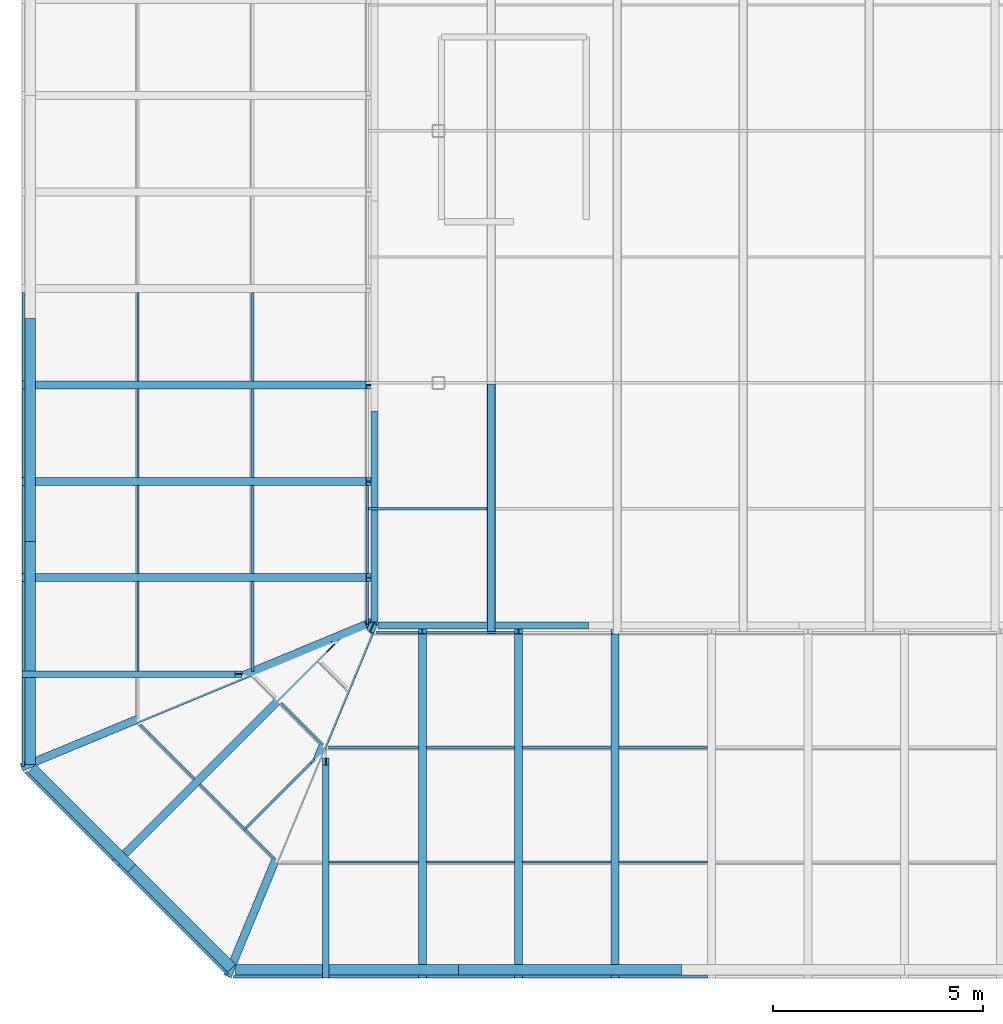
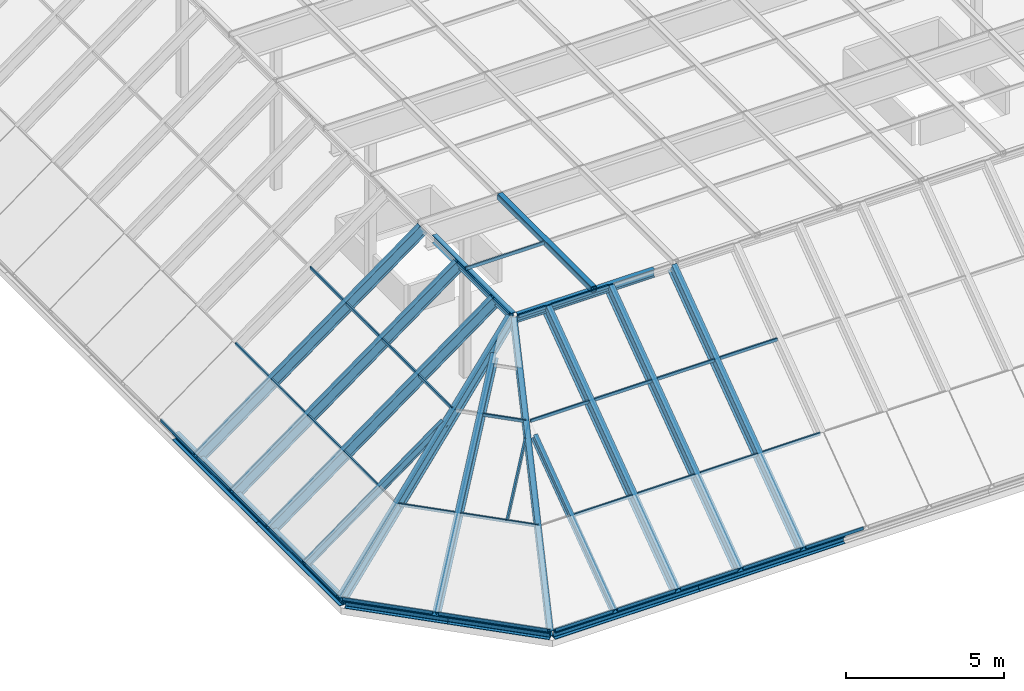
# One storey, part 2 of 15: 58 members, 4 elements without a shape of their own.
"""IFC4 building model written with IfcOpenShell, lengths in metres."""

from ifc_helpers import new_model, si_unit, direction, frame, origin, origin_2d, place, context, subcontext, project, spatial, rectangle, hollow_rectangle, i_section, extrude, material, constituent, constituent_set, material_profile, profile_set, type_object, element, aggregate, save


model = new_model("IFC4")

# Units and contexts
model_context = context("Model", 3, precision=1e-05, world=origin(), true_north=direction((0.0, 1.0)))
body_context = subcontext(model_context, "Body", "Model", "MODEL_VIEW")
ifc_project = project(units=[si_unit("LENGTHUNIT", "METRE"), si_unit("AREAUNIT", "SQUARE_METRE"), si_unit("VOLUMEUNIT", "CUBIC_METRE"), si_unit("PLANEANGLEUNIT", "RADIAN"), si_unit("MASSUNIT", "GRAM", prefix="KILO")], contexts=[model_context])

# Site, building, storey
site_placement = place(None, origin())
site = spatial("IfcSite", under=ifc_project, at=site_placement, CompositionType="ELEMENT")
building_placement = place(site_placement, origin())
building = spatial("IfcBuilding", under=site, at=building_placement, Name="Quoin Convention Tower", CompositionType="ELEMENT")
storey_placement = place(building_placement, frame((0.0, 0.0, 273.699951171875)))
storey = spatial("IfcBuildingStorey", under=building, at=storey_placement, Name="Roof", CompositionType="ELEMENT", Elevation=273.699951171875)

# Curtain wall, member
ifc_material_1 = material(Name="Aluminium", Category="aluminium")
ifc_constituent_1 = constituent(ifc_material_1, Name="Frame")
ifc_material_2 = material(Name="Insulated glass", Category="glass")
ifc_constituent_2 = constituent(ifc_material_2, Name="Glazing")
ifc_constituent_set = constituent_set(constituents=[ifc_constituent_1, ifc_constituent_2], Name="Aluminium")
curtain_wall_type = type_object("IfcCurtainWallType", Name="Lantern roof system", PredefinedType="NOTDEFINED", material=ifc_constituent_set)
curtain_wall_1_placement = place(storey_placement, origin())
curtain_wall_1 = element("IfcCurtainWall", 1, at=curtain_wall_1_placement, inside=storey, type_object=curtain_wall_type, Name="crn-LNR-CAP", PredefinedType="NOTDEFINED")
ifc_material_3 = material(Name="Steel C450L0", Category="steel")
ifc_material_profile_1 = material_profile(ifc_material_3, hollow_rectangle(XDim=0.199951171875, YDim=0.199951171875, WallThickness=0.010009765625, InnerFilletRadius=0.014892578125, OuterFilletRadius=0.02490234375, at=origin_2d()), Name="200x200x10.0SHS")
ifc_profile_set_1 = profile_set([ifc_material_profile_1], Name="Steel C450L0")
member_type_1 = type_object("IfcMemberType", Name="200x200x10.0SHS LANTERN CAP RAIL", PredefinedType="MULLION", material=ifc_profile_set_1)
member_1_placement = place(storey_placement, frame((46.409912109375, 47.926513671875, 6.495361328125), z_axis=(0.0, 1.0, 0.0), x_axis=(-1.0, 0.0, 0.0)))
member_1 = element("IfcMember", 2, at=member_1_placement, type_object=member_type_1, Name="CW6 cap rail", PredefinedType="MULLION", context=body_context, shape_type="SweptSolid", body=[
    extrude(hollow_rectangle(XDim=0.199951171875, YDim=0.199951171875, WallThickness=0.010009765625, InnerFilletRadius=0.014892578125, OuterFilletRadius=0.02490234375, at=origin_2d()), origin(), (0.0, 0.0, 1.0), 5.953369140625),
])

# Members
ifc_material_4 = material(Name="Steel Grade 300", Category="steel")
ifc_material_profile_2 = material_profile(ifc_material_4, i_section(OverallWidth=0.256103515625, OverallDepth=0.260009765625, WebThickness=0.010498046875, FlangeThickness=0.017333984375, FilletRadius=0.013916015625, at=origin_2d()), Name="250UC89.5")
ifc_profile_set_2 = profile_set([ifc_material_profile_2], Name="Steel Grade 300")
member_type_2 = type_object("IfcMemberType", Name="250UC89.5 EAVES RING", PredefinedType="CHORD", material=ifc_profile_set_2)
for number, where, z_axis, x_axis, name in (
    (3, (35.427978515625, 55.438720703125, 0.130126953125), (0.0, -1.0, 0.0), (1.0, 0.0, 0.0), "LANTERN EAVES RING"),
    (4, (35.427978515625, 50.12744140625, 0.130126953125), (0.0, -1.0, 0.0), (1.0, 0.0, 0.0), "LANTERN EAVES RING"),
):
    element("IfcMember", number, at=place(storey_placement, frame(where, z_axis=z_axis, x_axis=x_axis)), inside=storey, type_object=member_type_2, Name=name, PredefinedType="CHORD", context=body_context, shape_type="SweptSolid", body=[
        extrude(i_section(OverallWidth=0.256103515625, OverallDepth=0.260009765625, WebThickness=0.010498046875, FlangeThickness=0.017333984375, FilletRadius=0.013916015625, at=origin_2d()), origin(), (0.0, 0.0, 1.0), 5.311279296875),
    ])
for number, where, z_axis, x_axis, name in (
    (5, (35.465576171875, 44.7255859375, 0.130126953125), (0.707070512791, -0.707143047722, 0.0), (0.707143047722, 0.707070512791, 0.0), "LANTERN EAVES RING"),
    (6, (37.845458984375, 42.345458984375, 0.130126953125), (0.707143047722, -0.707070512791, 0.0), (0.707070512791, 0.707143047722, 0.0), "LANTERN EAVES RING"),
):
    element("IfcMember", number, at=place(storey_placement, frame(where, z_axis=z_axis, x_axis=x_axis)), inside=storey, type_object=member_type_2, Name=name, PredefinedType="CHORD", context=body_context, shape_type="SweptSolid", body=[
        extrude(i_section(OverallWidth=0.256103515625, OverallDepth=0.260009765625, WebThickness=0.010498046875, FlangeThickness=0.017333984375, FilletRadius=0.013916015625, at=origin_2d()), origin(), (0.0, 0.0, 1.0), 3.36572265625),
    ])
for number, where, z_axis, x_axis, name in (
    (7, (40.316162109375, 39.927978515625, 0.130126953125), (1.0, 0.0, 0.0), (0.0, 1.0, 0.0), "LANTERN EAVES RING"),
    (8, (45.62744140625, 39.927978515625, 0.130126953125), (1.0, 0.0, 0.0), (0.0, 1.0, 0.0), "LANTERN EAVES RING"),
):
    element("IfcMember", number, at=place(storey_placement, frame(where, z_axis=z_axis, x_axis=x_axis)), inside=storey, type_object=member_type_2, Name=name, PredefinedType="CHORD", context=body_context, shape_type="SweptSolid", body=[
        extrude(i_section(OverallWidth=0.256103515625, OverallDepth=0.260009765625, WebThickness=0.010498046875, FlangeThickness=0.017333984375, FilletRadius=0.013916015625, at=origin_2d()), origin(), (0.0, 0.0, 1.0), 5.311279296875),
    ])

# Curtain wall, member
curtain_wall_2_placement = place(storey_placement, origin())
curtain_wall_2 = element("IfcCurtainWall", 9, at=curtain_wall_2_placement, inside=storey, type_object=curtain_wall_type, Name="crn-LNR-F35210_76827", PredefinedType="NOTDEFINED")
ifc_material_profile_3 = material_profile(ifc_material_4, i_section(OverallWidth=0.14892578125, OverallDepth=0.298095703125, WebThickness=0.005615234375, FlangeThickness=0.008056640625, FilletRadius=0.012939453125, at=origin_2d()), Name="310UB32.0")
ifc_profile_set_3 = profile_set([ifc_material_profile_3], Name="Steel Grade 300")
member_type_3 = type_object("IfcMemberType", Name="310UB32.0 LANTERN RAFTER", PredefinedType="MULLION", material=ifc_profile_set_3)
member_2_placement = place(storey_placement, frame((35.314453125, 46.969482421875, 0.332763671875), z_axis=(0.807036644886, 0.0, 0.590501358009), x_axis=(0.0, 1.0, 0.0)))
member_2 = element("IfcMember", 10, at=member_2_placement, type_object=member_type_3, Name="CW6 steel rafter", PredefinedType="MULLION", context=body_context, shape_type="SweptSolid", body=[
    extrude(i_section(OverallWidth=0.14892578125, OverallDepth=0.298095703125, WebThickness=0.005615234375, FlangeThickness=0.008056640625, FilletRadius=0.012939453125, at=origin_2d()), origin(), (0.0, 0.0, 1.0), 6.286865234375),
])

curtain_wall_3_placement = place(storey_placement, origin())
curtain_wall_3 = element("IfcCurtainWall", 11, at=curtain_wall_3_placement, inside=storey, type_object=curtain_wall_type, Name="crn-LNR-F40173_39710", PredefinedType="NOTDEFINED")
member_3_placement = place(storey_placement, frame((42.469482421875, 39.814453125, 0.332763671875), z_axis=(0.0, 0.807036644886, 0.590501358009), x_axis=(-1.0, 0.0, 0.0)))
member_3 = element("IfcMember", 12, at=member_3_placement, type_object=member_type_3, Name="CW6 steel rafter", PredefinedType="MULLION", context=body_context, shape_type="SweptSolid", body=[
    extrude(i_section(OverallWidth=0.14892578125, OverallDepth=0.298095703125, WebThickness=0.005615234375, FlangeThickness=0.008056640625, FilletRadius=0.012939453125, at=origin_2d()), origin(), (0.0, 0.0, 1.0), 6.286865234375),
])

# Members
ifc_material_profile_4 = material_profile(ifc_material_4, i_section(OverallWidth=0.166015625, OverallDepth=0.306884765625, WebThickness=0.006591796875, FlangeThickness=0.01171875, FilletRadius=0.011474609375, at=origin_2d()), Name="310UB46.2")
ifc_profile_set_4 = profile_set([ifc_material_profile_4], Name="Steel Grade 300")
member_type_4 = type_object("IfcMemberType", Name="310UB46.2 COMPRESSION RING", PredefinedType="CHORD", material=ifc_profile_set_4)
for number, where, z_axis, x_axis, name in (
    (13, (43.626953125, 53.22607421875, 6.241943359375), (0.0, -1.0, 0.0), (1.0, 0.0, 0.0), "LANTERN COMPRESSION RING"),
    (14, (43.7099609375, 48.126953125, 6.241943359375), (1.0, 0.0, 0.0), (0.0, 1.0, 0.0), "LANTERN COMPRESSION RING"),
):
    element("IfcMember", number, at=place(storey_placement, frame(where, z_axis=z_axis, x_axis=x_axis)), inside=storey, type_object=member_type_4, Name=name, PredefinedType="CHORD", context=body_context, shape_type="SweptSolid", body=[
        extrude(i_section(OverallWidth=0.166015625, OverallDepth=0.306884765625, WebThickness=0.006591796875, FlangeThickness=0.01171875, FilletRadius=0.011474609375, at=origin_2d()), origin(), (0.0, 0.0, 1.0), 5.01611328125),
    ])
ifc_material_profile_5 = material_profile(ifc_material_4, i_section(OverallWidth=0.18994140625, OverallDepth=0.4541015625, WebThickness=0.008544921875, FlangeThickness=0.0126953125, FilletRadius=0.011474609375, at=origin_2d()), Name="460UB67.1")
ifc_profile_set_5 = profile_set([ifc_material_profile_5], Name="Steel Grade 300")
member_type_5 = type_object("IfcMemberType", Name="460UB67.1 LANTERN HIP RAFTER", PredefinedType="RAFTER", material=ifc_profile_set_5)
for number, where, z_axis, x_axis, name in (
    (15, (35.33740234375, 44.800048828125, 0.229248046875), (0.765391967529, 0.317054171085, 0.560046237949), (-0.382702428316, 0.923871663902, 0.0), "CW6 steel hip rafter"),
    (16, (40.1728515625, 39.89013671875, 0.229248046875), (0.317033673283, 0.765397497452, 0.560050284259), (-0.923881389236, 0.382678949804, 0.0), "CW6 steel hip rafter"),
):
    element("IfcMember", number, at=place(storey_placement, frame(where, z_axis=z_axis, x_axis=x_axis)), inside=storey, type_object=member_type_5, Name=name, PredefinedType="RAFTER", context=body_context, shape_type="SweptSolid", body=[
        extrude(i_section(OverallWidth=0.18994140625, OverallDepth=0.4541015625, WebThickness=0.008544921875, FlangeThickness=0.0126953125, FilletRadius=0.011474609375, at=origin_2d()), origin(), (0.0, 0.0, 1.0), 10.71337890625),
    ])

# Member
ifc_material_profile_6 = material_profile(ifc_material_4, i_section(OverallWidth=0.18994140625, OverallDepth=0.4541015625, WebThickness=0.008544921875, FlangeThickness=0.0126953125, FilletRadius=0.011474609375, at=origin_2d()), Name="460UB67.1")
ifc_profile_set_6 = profile_set([ifc_material_profile_6], Name="Steel Grade 300")
member_type_6 = type_object("IfcMemberType", Name="460UB67.1 LANTERN RAFTER", PredefinedType="MULLION", material=ifc_profile_set_6)
member_4_placement = place(storey_placement, frame((35.360595703125, 53.85986328125, 0.26953125), z_axis=(0.807028649932, 0.0, 0.590512284537), x_axis=(0.0, 1.0, 0.0)))
member_4 = element("IfcMember", 17, at=member_4_placement, type_object=member_type_6, Name="CW6 steel rafter", PredefinedType="MULLION", context=body_context, shape_type="SweptSolid", body=[
    extrude(i_section(OverallWidth=0.18994140625, OverallDepth=0.4541015625, WebThickness=0.008544921875, FlangeThickness=0.0126953125, FilletRadius=0.011474609375, at=origin_2d()), origin(), (0.0, 0.0, 1.0), 10.16064453125),
])

member_5_placement = place(storey_placement, frame((35.360595703125, 51.56298828125, 0.26953125), z_axis=(0.807028649932, 0.0, 0.590512284537), x_axis=(0.0, 1.0, 0.0)))
member_5 = element("IfcMember", 18, at=member_5_placement, type_object=member_type_6, Name="CW6 steel rafter", PredefinedType="MULLION", context=body_context, shape_type="SweptSolid", body=[
    extrude(i_section(OverallWidth=0.18994140625, OverallDepth=0.4541015625, WebThickness=0.008544921875, FlangeThickness=0.0126953125, FilletRadius=0.011474609375, at=origin_2d()), origin(), (0.0, 0.0, 1.0), 10.16064453125),
])

member_6_placement = place(storey_placement, frame((35.360595703125, 49.266357421875, 0.26953125), z_axis=(0.807028649932, 0.0, 0.590512284537), x_axis=(0.0, 1.0, 0.0)))
member_6 = element("IfcMember", 19, at=member_6_placement, type_object=member_type_6, Name="CW6 steel rafter", PredefinedType="MULLION", context=body_context, shape_type="SweptSolid", body=[
    extrude(i_section(OverallWidth=0.18994140625, OverallDepth=0.4541015625, WebThickness=0.008544921875, FlangeThickness=0.0126953125, FilletRadius=0.011474609375, at=origin_2d()), origin(), (0.0, 0.0, 1.0), 10.16064453125),
])

# Curtain wall, member
curtain_wall_4_placement = place(storey_placement, origin())
curtain_wall_4 = element("IfcCurtainWall", 20, at=curtain_wall_4_placement, inside=storey, type_object=curtain_wall_type, Name="crn-LNR-F35210_44673", PredefinedType="NOTDEFINED")
member_7_placement = place(storey_placement, frame((37.5439453125, 42.552001953125, 0.26953125), z_axis=(0.570654798097, 0.570654798097, 0.590513507735), x_axis=(-0.707106781187, 0.707106781187, 0.0)))
member_7 = element("IfcMember", 21, at=member_7_placement, type_object=member_type_6, Name="CW6 steel rafter", PredefinedType="MULLION", context=body_context, shape_type="SweptSolid", body=[
    extrude(i_section(OverallWidth=0.18994140625, OverallDepth=0.4541015625, WebThickness=0.008544921875, FlangeThickness=0.0126953125, FilletRadius=0.011474609375, at=origin_2d()), origin(), (0.0, 0.0, 1.0), 8.83935546875),
])

# Member
member_8_placement = place(storey_placement, frame((44.766357421875, 39.860595703125, 0.26953125), z_axis=(0.0, 0.807028649932, 0.590512284537), x_axis=(-1.0, 0.0, 0.0)))
member_8 = element("IfcMember", 22, at=member_8_placement, type_object=member_type_6, Name="CW6 steel rafter", PredefinedType="MULLION", context=body_context, shape_type="SweptSolid", body=[
    extrude(i_section(OverallWidth=0.18994140625, OverallDepth=0.4541015625, WebThickness=0.008544921875, FlangeThickness=0.0126953125, FilletRadius=0.011474609375, at=origin_2d()), origin(), (0.0, 0.0, 1.0), 10.16064453125),
])

member_9_placement = place(storey_placement, frame((47.06298828125, 39.860595703125, 0.26953125), z_axis=(0.0, 0.807028649932, 0.590512284537), x_axis=(-1.0, 0.0, 0.0)))
member_9 = element("IfcMember", 23, at=member_9_placement, type_object=member_type_6, Name="CW6 steel rafter", PredefinedType="MULLION", context=body_context, shape_type="SweptSolid", body=[
    extrude(i_section(OverallWidth=0.18994140625, OverallDepth=0.4541015625, WebThickness=0.008544921875, FlangeThickness=0.0126953125, FilletRadius=0.011474609375, at=origin_2d()), origin(), (0.0, 0.0, 1.0), 10.16064453125),
])

member_10_placement = place(storey_placement, frame((49.35986328125, 39.860595703125, 0.26953125), z_axis=(0.0, 0.807028649932, 0.590512284537), x_axis=(-1.0, 0.0, 0.0)))
member_10 = element("IfcMember", 24, at=member_10_placement, type_object=member_type_6, Name="CW6 steel rafter", PredefinedType="MULLION", context=body_context, shape_type="SweptSolid", body=[
    extrude(i_section(OverallWidth=0.18994140625, OverallDepth=0.4541015625, WebThickness=0.008544921875, FlangeThickness=0.0126953125, FilletRadius=0.011474609375, at=origin_2d()), origin(), (0.0, 0.0, 1.0), 10.16064453125),
])

ifc_material_profile_7 = material_profile(ifc_material_1, rectangle(XDim=0.028076171875, YDim=0.179931640625, at=origin_2d()), Name="Lantern roof cap cover bar 180x28")
ifc_profile_set_7 = profile_set([ifc_material_profile_7], Name="Aluminium")
member_type_7 = type_object("IfcMemberType", Name="Lantern roof cap cover bar 180x28", PredefinedType="USERDEFINED", material=ifc_profile_set_7)
member_11_placement = place(storey_placement, frame((46.409912109375, 47.926513671875, 6.609375), z_axis=(0.0, 1.0, 0.0), x_axis=(0.0, 0.0, 1.0)))
member_11 = element("IfcMember", 25, at=member_11_placement, type_object=member_type_7, Name="CW6 cap cover bar", ObjectType="CAP COVER", PredefinedType="USERDEFINED", context=body_context, shape_type="SweptSolid", body=[
    extrude(rectangle(XDim=0.028076171875, YDim=0.179931640625, at=origin_2d()), origin(), (0.0, 0.0, 1.0), 5.953369140625),
])

ifc_material_profile_8 = material_profile(ifc_material_1, rectangle(XDim=0.199951171875, YDim=0.06005859375, at=origin_2d()), Name="Lantern roof mullion 60x200")
ifc_profile_set_8 = profile_set([ifc_material_profile_8], Name="Aluminium")
member_type_8 = type_object("IfcMemberType", Name="Lantern roof mullion 60x200", PredefinedType="MULLION", material=ifc_profile_set_8)
member_12_placement = place(storey_placement, frame((40.557861328125, 43.29736328125, 2.3720703125), z_axis=(0.570655053793, 0.570655053793, 0.590513013541), x_axis=(-0.417555756253, -0.417555756253, 0.807028116511)))
member_12 = element("IfcMember", 26, at=member_12_placement, type_object=member_type_8, Name="CW6 jack rafter", PredefinedType="MULLION", context=body_context, shape_type="SweptSolid", body=[
    extrude(rectangle(XDim=0.199951171875, YDim=0.06005859375, at=origin_2d()), origin(), (0.0, 0.0, 1.0), 2.80322265625),
])

ifc_material_profile_9 = material_profile(ifc_material_1, rectangle(XDim=0.1201171875, YDim=0.050048828125, at=origin_2d()), Name="Lantern roof transom 50x120")
ifc_profile_set_9 = profile_set([ifc_material_profile_9], Name="Aluminium")
member_type_9 = type_object("IfcMemberType", Name="Lantern roof transom 50x120", PredefinedType="USERDEFINED", material=ifc_profile_set_9)
member_13_placement = place(storey_placement, frame((35.261962890625, 56.0615234375, 0.404541015625), z_axis=(0.0, -1.0, 0.0), x_axis=(0.0, 0.0, 1.0)))
member_13 = element("IfcMember", 27, at=member_13_placement, type_object=member_type_9, Name="CW6 transom", ObjectType="TRANSOM", PredefinedType="USERDEFINED", context=body_context, shape_type="SweptSolid", body=[
    extrude(rectangle(XDim=0.1201171875, YDim=0.050048828125, at=origin_2d()), origin(), (0.0, 0.0, 1.0), 2.106689453125),
])

member_14_placement = place(storey_placement, frame((35.261962890625, 53.764892578125, 0.404541015625), z_axis=(0.0, -1.0, 0.0), x_axis=(0.0, 0.0, 1.0)))
member_14 = element("IfcMember", 28, at=member_14_placement, type_object=member_type_9, Name="CW6 transom", ObjectType="TRANSOM", PredefinedType="USERDEFINED", context=body_context, shape_type="SweptSolid", body=[
    extrude(rectangle(XDim=0.1201171875, YDim=0.050048828125, at=origin_2d()), origin(), (0.0, 0.0, 1.0), 2.10693359375),
])

member_15_placement = place(storey_placement, frame((35.261962890625, 51.468017578125, 0.404541015625), z_axis=(0.0, -1.0, 0.0), x_axis=(0.0, 0.0, 1.0)))
member_15 = element("IfcMember", 29, at=member_15_placement, type_object=member_type_9, Name="CW6 transom", ObjectType="TRANSOM", PredefinedType="USERDEFINED", context=body_context, shape_type="SweptSolid", body=[
    extrude(rectangle(XDim=0.1201171875, YDim=0.050048828125, at=origin_2d()), origin(), (0.0, 0.0, 1.0), 2.106689453125),
])

member_16_placement = place(storey_placement, frame((35.261962890625, 49.17138671875, 0.404541015625), z_axis=(0.0, -1.0, 0.0), x_axis=(0.0, 0.0, 1.0)))
member_16 = element("IfcMember", 30, at=member_16_placement, type_object=member_type_9, Name="CW6 transom", ObjectType="TRANSOM", PredefinedType="USERDEFINED", context=body_context, shape_type="SweptSolid", body=[
    extrude(rectangle(XDim=0.1201171875, YDim=0.050048828125, at=origin_2d()), origin(), (0.0, 0.0, 1.0), 2.12744140625),
])

member_17_placement = place(storey_placement, frame((35.261962890625, 46.89501953125, 0.404541015625), z_axis=(0.0, -1.0, 0.0), x_axis=(0.0, 0.0, 1.0)))
member_17 = element("IfcMember", 31, at=member_17_placement, type_object=member_type_9, Name="CW6 transom", ObjectType="TRANSOM", PredefinedType="USERDEFINED", context=body_context, shape_type="SweptSolid", body=[
    extrude(rectangle(XDim=0.1201171875, YDim=0.050048828125, at=origin_2d()), origin(), (0.0, 0.0, 1.0), 2.1220703125),
])

member_18_placement = place(storey_placement, frame((37.995361328125, 56.0615234375, 2.404541015625), z_axis=(0.0, -1.0, 0.0), x_axis=(0.0, 0.0, 1.0)))
member_18 = element("IfcMember", 32, at=member_18_placement, type_object=member_type_9, Name="CW6 transom", ObjectType="TRANSOM", PredefinedType="USERDEFINED", context=body_context, shape_type="SweptSolid", body=[
    extrude(rectangle(XDim=0.1201171875, YDim=0.050048828125, at=origin_2d()), origin(), (0.0, 0.0, 1.0), 2.106689453125),
])

member_19_placement = place(storey_placement, frame((37.995361328125, 53.764892578125, 2.404541015625), z_axis=(0.0, -1.0, 0.0), x_axis=(0.0, 0.0, 1.0)))
member_19 = element("IfcMember", 33, at=member_19_placement, type_object=member_type_9, Name="CW6 transom", ObjectType="TRANSOM", PredefinedType="USERDEFINED", context=body_context, shape_type="SweptSolid", body=[
    extrude(rectangle(XDim=0.1201171875, YDim=0.050048828125, at=origin_2d()), origin(), (0.0, 0.0, 1.0), 2.10693359375),
])

member_20_placement = place(storey_placement, frame((37.995361328125, 51.468017578125, 2.404541015625), z_axis=(0.0, -1.0, 0.0), x_axis=(0.0, 0.0, 1.0)))
member_20 = element("IfcMember", 34, at=member_20_placement, type_object=member_type_9, Name="CW6 transom", ObjectType="TRANSOM", PredefinedType="USERDEFINED", context=body_context, shape_type="SweptSolid", body=[
    extrude(rectangle(XDim=0.1201171875, YDim=0.050048828125, at=origin_2d()), origin(), (0.0, 0.0, 1.0), 2.106689453125),
])

member_21_placement = place(storey_placement, frame((37.995361328125, 49.17138671875, 2.404541015625), z_axis=(0.0, -1.0, 0.0), x_axis=(0.0, 0.0, 1.0)))
member_21 = element("IfcMember", 35, at=member_21_placement, type_object=member_type_9, Name="CW6 transom", ObjectType="TRANSOM", PredefinedType="USERDEFINED", context=body_context, shape_type="SweptSolid", body=[
    extrude(rectangle(XDim=0.1201171875, YDim=0.050048828125, at=origin_2d()), origin(), (0.0, 0.0, 1.0), 2.12744140625),
])

member_22_placement = place(storey_placement, frame((40.728515625, 56.0615234375, 4.404541015625), z_axis=(0.0, -1.0, 0.0), x_axis=(0.0, 0.0, 1.0)))
member_22 = element("IfcMember", 36, at=member_22_placement, type_object=member_type_9, Name="CW6 transom", ObjectType="TRANSOM", PredefinedType="USERDEFINED", context=body_context, shape_type="SweptSolid", body=[
    extrude(rectangle(XDim=0.1201171875, YDim=0.050048828125, at=origin_2d()), origin(), (0.0, 0.0, 1.0), 2.106689453125),
])

member_23_placement = place(storey_placement, frame((40.728515625, 53.764892578125, 4.404541015625), z_axis=(0.0, -1.0, 0.0), x_axis=(0.0, 0.0, 1.0)))
member_23 = element("IfcMember", 37, at=member_23_placement, type_object=member_type_9, Name="CW6 transom", ObjectType="TRANSOM", PredefinedType="USERDEFINED", context=body_context, shape_type="SweptSolid", body=[
    extrude(rectangle(XDim=0.1201171875, YDim=0.050048828125, at=origin_2d()), origin(), (0.0, 0.0, 1.0), 2.10693359375),
])

member_24_placement = place(storey_placement, frame((40.728515625, 51.468017578125, 4.404541015625), z_axis=(0.0, -1.0, 0.0), x_axis=(0.0, 0.0, 1.0)))
member_24 = element("IfcMember", 38, at=member_24_placement, type_object=member_type_9, Name="CW6 transom", ObjectType="TRANSOM", PredefinedType="USERDEFINED", context=body_context, shape_type="SweptSolid", body=[
    extrude(rectangle(XDim=0.1201171875, YDim=0.050048828125, at=origin_2d()), origin(), (0.0, 0.0, 1.0), 2.106689453125),
])

member_25_placement = place(storey_placement, frame((40.728515625, 49.17138671875, 4.404541015625), z_axis=(0.0, -1.0, 0.0), x_axis=(0.0, 0.0, 1.0)))
member_25 = element("IfcMember", 39, at=member_25_placement, type_object=member_type_9, Name="CW6 transom", ObjectType="TRANSOM", PredefinedType="USERDEFINED", context=body_context, shape_type="SweptSolid", body=[
    extrude(rectangle(XDim=0.1201171875, YDim=0.050048828125, at=origin_2d()), origin(), (0.0, 0.0, 1.0), 2.134033203125),
])

member_26_placement = place(storey_placement, frame((43.4619140625, 51.468017578125, 6.404541015625), z_axis=(0.0, -1.0, 0.0), x_axis=(0.0, 0.0, 1.0)))
member_26 = element("IfcMember", 40, at=member_26_placement, type_object=member_type_9, Name="CW6 transom", ObjectType="TRANSOM", PredefinedType="USERDEFINED", context=body_context, shape_type="SweptSolid", body=[
    extrude(rectangle(XDim=0.1201171875, YDim=0.050048828125, at=origin_2d()), origin(), (0.0, 0.0, 1.0), 2.106689453125),
])

member_27_placement = place(storey_placement, frame((43.4619140625, 49.17138671875, 6.404541015625), z_axis=(0.0, -1.0, 0.0), x_axis=(0.0, 0.0, 1.0)))
member_27 = element("IfcMember", 41, at=member_27_placement, type_object=member_type_9, Name="CW6 transom", ObjectType="TRANSOM", PredefinedType="USERDEFINED", context=body_context, shape_type="SweptSolid", body=[
    extrude(rectangle(XDim=0.1201171875, YDim=0.050048828125, at=origin_2d()), origin(), (0.0, 0.0, 1.0), 1.001953125),
])

aggregate(curtain_wall_2, [member_4, member_5, member_6, member_2, member_13, member_14, member_15, member_16, member_17, member_18, member_19, member_20, member_21, member_22, member_23, member_24, member_25, member_26, member_27])

member_28_placement = place(storey_placement, frame((35.317626953125, 44.638671875, 0.404541015625), z_axis=(0.707106781187, -0.707106781187, 0.0), x_axis=(0.0, 0.0, 1.0)))
member_28 = element("IfcMember", 42, at=member_28_placement, type_object=member_type_9, Name="CW6 transom", ObjectType="TRANSOM", PredefinedType="USERDEFINED", context=body_context, shape_type="SweptSolid", body=[
    extrude(rectangle(XDim=0.1201171875, YDim=0.050048828125, at=origin_2d()), origin(), (0.0, 0.0, 1.0), 2.954833984375),
])

member_29_placement = place(storey_placement, frame((37.541259765625, 42.4150390625, 0.404541015625), z_axis=(0.707106781187, -0.707106781187, 0.0), x_axis=(0.0, 0.0, 1.0)))
member_29 = element("IfcMember", 43, at=member_29_placement, type_object=member_type_9, Name="CW6 transom", ObjectType="TRANSOM", PredefinedType="USERDEFINED", context=body_context, shape_type="SweptSolid", body=[
    extrude(rectangle(XDim=0.1201171875, YDim=0.050048828125, at=origin_2d()), origin(), (0.0, 0.0, 1.0), 3.67333984375),
])

member_30_placement = place(storey_placement, frame((38.05078125, 45.77099609375, 2.404541015625), z_axis=(0.707106781187, -0.707106781187, 0.0), x_axis=(0.0, 0.0, 1.0)))
member_30 = element("IfcMember", 44, at=member_30_placement, type_object=member_type_9, Name="CW6 transom", ObjectType="TRANSOM", PredefinedType="USERDEFINED", context=body_context, shape_type="SweptSolid", body=[
    extrude(rectangle(XDim=0.1201171875, YDim=0.050048828125, at=origin_2d()), origin(), (0.0, 0.0, 1.0), 1.82275390625),
])

member_31_placement = place(storey_placement, frame((39.47412109375, 44.34765625, 2.404541015625), z_axis=(0.707106781187, -0.707106781187, 0.0), x_axis=(0.0, 0.0, 1.0)))
member_31 = element("IfcMember", 45, at=member_31_placement, type_object=member_type_9, Name="CW6 transom", ObjectType="TRANSOM", PredefinedType="USERDEFINED", context=body_context, shape_type="SweptSolid", body=[
    extrude(rectangle(XDim=0.1201171875, YDim=0.050048828125, at=origin_2d()), origin(), (0.0, 0.0, 1.0), 2.541259765625),
])

member_32_placement = place(storey_placement, frame((41.40673828125, 46.280517578125, 4.404541015625), z_axis=(0.707106781187, -0.707106781187, 0.0), x_axis=(0.0, 0.0, 1.0)))
member_32 = element("IfcMember", 46, at=member_32_placement, type_object=member_type_9, Name="CW6 transom", ObjectType="TRANSOM", PredefinedType="USERDEFINED", context=body_context, shape_type="SweptSolid", body=[
    extrude(rectangle(XDim=0.1201171875, YDim=0.050048828125, at=origin_2d()), origin(), (0.0, 0.0, 1.0), 1.408935546875),
])

aggregate(curtain_wall_4, [member_7, member_28, member_29, member_30, member_31, member_32, member_12])

member_33_placement = place(storey_placement, frame((40.27294921875, 39.761962890625, 0.404541015625), z_axis=(1.0, 0.0, 0.0), x_axis=(0.0, 0.0, 1.0)))
member_33 = element("IfcMember", 47, at=member_33_placement, type_object=member_type_9, Name="CW6 transom", ObjectType="TRANSOM", PredefinedType="USERDEFINED", context=body_context, shape_type="SweptSolid", body=[
    extrude(rectangle(XDim=0.1201171875, YDim=0.050048828125, at=origin_2d()), origin(), (0.0, 0.0, 1.0), 2.1220703125),
])

member_34_placement = place(storey_placement, frame((42.5439453125, 39.761962890625, 0.404541015625), z_axis=(1.0, 0.0, 0.0), x_axis=(0.0, 0.0, 1.0)))
member_34 = element("IfcMember", 48, at=member_34_placement, type_object=member_type_9, Name="CW6 transom", ObjectType="TRANSOM", PredefinedType="USERDEFINED", context=body_context, shape_type="SweptSolid", body=[
    extrude(rectangle(XDim=0.1201171875, YDim=0.050048828125, at=origin_2d()), origin(), (0.0, 0.0, 1.0), 2.12744140625),
])

member_35_placement = place(storey_placement, frame((44.861328125, 39.761962890625, 0.404541015625), z_axis=(1.0, 0.0, 0.0), x_axis=(0.0, 0.0, 1.0)))
member_35 = element("IfcMember", 49, at=member_35_placement, type_object=member_type_9, Name="CW6 transom", ObjectType="TRANSOM", PredefinedType="USERDEFINED", context=body_context, shape_type="SweptSolid", body=[
    extrude(rectangle(XDim=0.1201171875, YDim=0.050048828125, at=origin_2d()), origin(), (0.0, 0.0, 1.0), 2.106689453125),
])

member_36_placement = place(storey_placement, frame((47.157958984375, 39.761962890625, 0.404541015625), z_axis=(1.0, 0.0, 0.0), x_axis=(0.0, 0.0, 1.0)))
member_36 = element("IfcMember", 50, at=member_36_placement, type_object=member_type_9, Name="CW6 transom", ObjectType="TRANSOM", PredefinedType="USERDEFINED", context=body_context, shape_type="SweptSolid", body=[
    extrude(rectangle(XDim=0.1201171875, YDim=0.050048828125, at=origin_2d()), origin(), (0.0, 0.0, 1.0), 2.10693359375),
])

member_37_placement = place(storey_placement, frame((49.454833984375, 39.761962890625, 0.404541015625), z_axis=(1.0, 0.0, 0.0), x_axis=(0.0, 0.0, 1.0)))
member_37 = element("IfcMember", 51, at=member_37_placement, type_object=member_type_9, Name="CW6 transom", ObjectType="TRANSOM", PredefinedType="USERDEFINED", context=body_context, shape_type="SweptSolid", body=[
    extrude(rectangle(XDim=0.1201171875, YDim=0.050048828125, at=origin_2d()), origin(), (0.0, 0.0, 1.0), 2.106689453125),
])

member_38_placement = place(storey_placement, frame((42.5439453125, 42.495361328125, 2.404541015625), z_axis=(1.0, 0.0, 0.0), x_axis=(0.0, 0.0, 1.0)))
member_38 = element("IfcMember", 52, at=member_38_placement, type_object=member_type_9, Name="CW6 transom", ObjectType="TRANSOM", PredefinedType="USERDEFINED", context=body_context, shape_type="SweptSolid", body=[
    extrude(rectangle(XDim=0.1201171875, YDim=0.050048828125, at=origin_2d()), origin(), (0.0, 0.0, 1.0), 2.12744140625),
])

member_39_placement = place(storey_placement, frame((44.861328125, 42.495361328125, 2.404541015625), z_axis=(1.0, 0.0, 0.0), x_axis=(0.0, 0.0, 1.0)))
member_39 = element("IfcMember", 53, at=member_39_placement, type_object=member_type_9, Name="CW6 transom", ObjectType="TRANSOM", PredefinedType="USERDEFINED", context=body_context, shape_type="SweptSolid", body=[
    extrude(rectangle(XDim=0.1201171875, YDim=0.050048828125, at=origin_2d()), origin(), (0.0, 0.0, 1.0), 2.106689453125),
])

member_40_placement = place(storey_placement, frame((47.157958984375, 42.495361328125, 2.404541015625), z_axis=(1.0, 0.0, 0.0), x_axis=(0.0, 0.0, 1.0)))
member_40 = element("IfcMember", 54, at=member_40_placement, type_object=member_type_9, Name="CW6 transom", ObjectType="TRANSOM", PredefinedType="USERDEFINED", context=body_context, shape_type="SweptSolid", body=[
    extrude(rectangle(XDim=0.1201171875, YDim=0.050048828125, at=origin_2d()), origin(), (0.0, 0.0, 1.0), 2.10693359375),
])

member_41_placement = place(storey_placement, frame((49.454833984375, 42.495361328125, 2.404541015625), z_axis=(1.0, 0.0, 0.0), x_axis=(0.0, 0.0, 1.0)))
member_41 = element("IfcMember", 55, at=member_41_placement, type_object=member_type_9, Name="CW6 transom", ObjectType="TRANSOM", PredefinedType="USERDEFINED", context=body_context, shape_type="SweptSolid", body=[
    extrude(rectangle(XDim=0.1201171875, YDim=0.050048828125, at=origin_2d()), origin(), (0.0, 0.0, 1.0), 2.106689453125),
])

member_42_placement = place(storey_placement, frame((42.537353515625, 45.228515625, 4.404541015625), z_axis=(1.0, 0.0, 0.0), x_axis=(0.0, 0.0, 1.0)))
member_42 = element("IfcMember", 56, at=member_42_placement, type_object=member_type_9, Name="CW6 transom", ObjectType="TRANSOM", PredefinedType="USERDEFINED", context=body_context, shape_type="SweptSolid", body=[
    extrude(rectangle(XDim=0.1201171875, YDim=0.050048828125, at=origin_2d()), origin(), (0.0, 0.0, 1.0), 2.134033203125),
])

member_43_placement = place(storey_placement, frame((44.861328125, 45.228515625, 4.404541015625), z_axis=(1.0, 0.0, 0.0), x_axis=(0.0, 0.0, 1.0)))
member_43 = element("IfcMember", 57, at=member_43_placement, type_object=member_type_9, Name="CW6 transom", ObjectType="TRANSOM", PredefinedType="USERDEFINED", context=body_context, shape_type="SweptSolid", body=[
    extrude(rectangle(XDim=0.1201171875, YDim=0.050048828125, at=origin_2d()), origin(), (0.0, 0.0, 1.0), 2.106689453125),
])

member_44_placement = place(storey_placement, frame((47.157958984375, 45.228515625, 4.404541015625), z_axis=(1.0, 0.0, 0.0), x_axis=(0.0, 0.0, 1.0)))
member_44 = element("IfcMember", 58, at=member_44_placement, type_object=member_type_9, Name="CW6 transom", ObjectType="TRANSOM", PredefinedType="USERDEFINED", context=body_context, shape_type="SweptSolid", body=[
    extrude(rectangle(XDim=0.1201171875, YDim=0.050048828125, at=origin_2d()), origin(), (0.0, 0.0, 1.0), 2.10693359375),
])

member_45_placement = place(storey_placement, frame((49.454833984375, 45.228515625, 4.404541015625), z_axis=(1.0, 0.0, 0.0), x_axis=(0.0, 0.0, 1.0)))
member_45 = element("IfcMember", 59, at=member_45_placement, type_object=member_type_9, Name="CW6 transom", ObjectType="TRANSOM", PredefinedType="USERDEFINED", context=body_context, shape_type="SweptSolid", body=[
    extrude(rectangle(XDim=0.1201171875, YDim=0.050048828125, at=origin_2d()), origin(), (0.0, 0.0, 1.0), 2.106689453125),
])

member_46_placement = place(storey_placement, frame((43.66943359375, 47.9619140625, 6.404541015625), z_axis=(1.0, 0.0, 0.0), x_axis=(0.0, 0.0, 1.0)))
member_46 = element("IfcMember", 60, at=member_46_placement, type_object=member_type_9, Name="CW6 transom", ObjectType="TRANSOM", PredefinedType="USERDEFINED", context=body_context, shape_type="SweptSolid", body=[
    extrude(rectangle(XDim=0.1201171875, YDim=0.050048828125, at=origin_2d()), origin(), (0.0, 0.0, 1.0), 1.001953125),
])

member_47_placement = place(storey_placement, frame((44.861328125, 47.9619140625, 6.404541015625), z_axis=(1.0, 0.0, 0.0), x_axis=(0.0, 0.0, 1.0)))
member_47 = element("IfcMember", 61, at=member_47_placement, type_object=member_type_9, Name="CW6 transom", ObjectType="TRANSOM", PredefinedType="USERDEFINED", context=body_context, shape_type="SweptSolid", body=[
    extrude(rectangle(XDim=0.1201171875, YDim=0.050048828125, at=origin_2d()), origin(), (0.0, 0.0, 1.0), 2.106689453125),
])

aggregate(curtain_wall_3, [member_3, member_8, member_9, member_10, member_33, member_34, member_35, member_36, member_37, member_38, member_39, member_40, member_41, member_42, member_43, member_44, member_45, member_46, member_47])

member_48_placement = place(storey_placement, frame((43.426513671875, 50.909912109375, 6.535400390625), z_axis=(1.0, 0.0, 0.0), x_axis=(0.0, 0.0, 1.0)))
member_48 = element("IfcMember", 62, at=member_48_placement, type_object=member_type_9, Name="CW6 cap transom", ObjectType="TRANSOM", PredefinedType="USERDEFINED", context=body_context, shape_type="SweptSolid", body=[
    extrude(rectangle(XDim=0.1201171875, YDim=0.050048828125, at=origin_2d()), origin(), (0.0, 0.0, 1.0), 2.883544921875),
])

aggregate(curtain_wall_1, [member_48, member_1, member_11])

save(model, "model.ifc")
